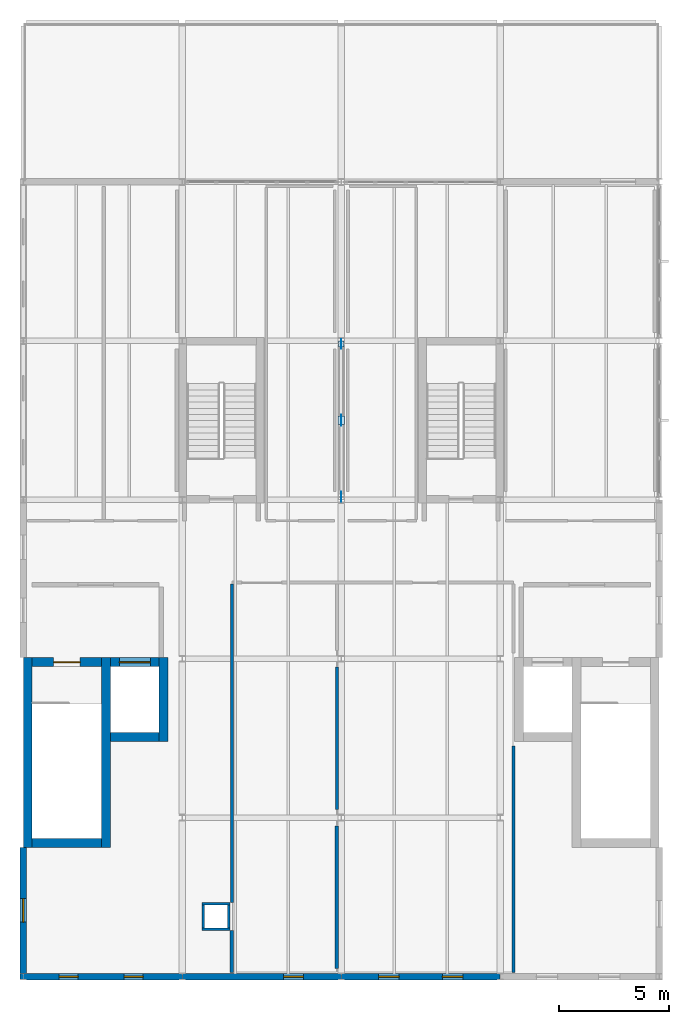
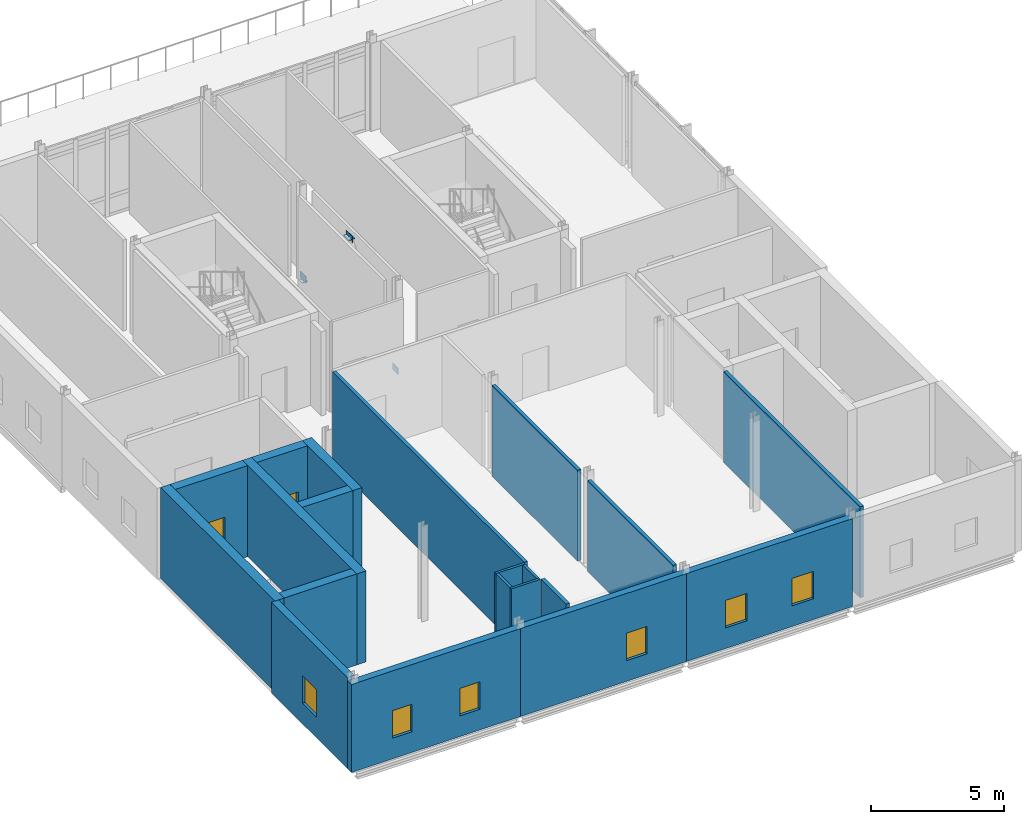
# One storey, part 7 of 12: 20 walls, 6 windows, 5 plates, 2 doors, 8 openings.
"""IFC4 building model written with IfcOpenShell, lengths in metres."""

from ifc_helpers import new_model, si_unit, direction, frame, frame_2d, origin, origin_2d, place, context, subcontext, project, spatial, rectangle, extrude, material, layer, layer_set, type_object, element, fill, save


model = new_model("IFC4")

# Units and contexts
model_context = context("Model", 3, precision=1e-05, world=origin(), true_north=direction((0.0, 1.0)))
body_context = subcontext(model_context, "Body", "Model", "MODEL_VIEW")
ifc_project = project(units=[si_unit("LENGTHUNIT", "METRE"), si_unit("AREAUNIT", "SQUARE_METRE"), si_unit("VOLUMEUNIT", "CUBIC_METRE"), si_unit("PLANEANGLEUNIT", "RADIAN"), si_unit("MASSUNIT", "GRAM", prefix="KILO")], contexts=[model_context])

# Site, building, storey
site_placement = place(None, origin())
site = spatial("IfcSite", under=ifc_project, at=site_placement, CompositionType="ELEMENT")
building_placement = place(site_placement, origin())
building = spatial("IfcBuilding", under=site, at=building_placement, Name="Zarrinpeak Specialist Clinic", CompositionType="ELEMENT")
storey_placement = place(building_placement, frame((0.0, 0.0, 27.199951171875)))
storey = spatial("IfcBuildingStorey", under=building, at=storey_placement, Name="L06", CompositionType="ELEMENT", Elevation=27.199951171875)

# Plates
ifc_material_1 = material(Name="Steel S355", Category="steel")
ifc_layer_1 = layer(ifc_material_1, 0.01611328125)
ifc_layer_set_1 = layer_set([ifc_layer_1], Name="Steel S355")
plate_type_1 = type_object("IfcPlateType", Name="PL-CAP219", PredefinedType="SHEET", material=ifc_layer_set_1)
plate_1_placement = place(storey_placement, frame((14.39990234375, 28.659912109375, 0.0009765625), z_axis=(0.0, 0.0, 1.0), x_axis=(1.0, 0.0, 0.0)))
element("IfcPlate", 1, at=plate_1_placement, inside=storey, type_object=plate_type_1, Name="V1 L06 Hollow Brace Foot Cap Plate B", PredefinedType="SHEET", context=body_context, shape_type="SweptSolid", body=[
    extrude(rectangle(XDim=0.260009765625, YDim=0.260009765625, at=origin_2d()), origin(), (0.0, 0.0, 1.0), 0.01611328125),
])
ifc_layer_2 = layer(ifc_material_1, 0.02001953125)
ifc_layer_set_2 = layer_set([ifc_layer_2], Name="Steel S355")
plate_type_2 = type_object("IfcPlateType", Name="PL-GN01", PredefinedType="SHEET", material=ifc_layer_set_2)
plate_2_placement = place(storey_placement, frame((14.39990234375, 25.199951171875, 3.93505859375), z_axis=(0.0, 0.0, 1.0), x_axis=(1.0, 0.0, 0.0)))
element("IfcPlate", 2, at=plate_2_placement, inside=storey, type_object=plate_type_2, Name="V1 L06 Chevron Gusset Node Plate GN-V1-L06", PredefinedType="SHEET", context=body_context, shape_type="SweptSolid", body=[
    extrude(rectangle(XDim=0.02001953125, YDim=0.47998046875, at=origin_2d()), origin(), (0.0, 0.0, 1.0), 0.340087890625),
])
ifc_layer_3 = layer(ifc_material_1, 0.01611328125)
ifc_layer_set_3 = layer_set([ifc_layer_3], Name="Steel S355")
plate_type_3 = type_object("IfcPlateType", Name="PL-GN02", PredefinedType="SHEET", material=ifc_layer_set_3)
plate_3_placement = place(storey_placement, frame((14.39990234375, 25.199951171875, 4.10302734375), z_axis=(0.0, 0.0, 1.0), x_axis=(1.0, 0.0, 0.0)))
element("IfcPlate", 3, at=plate_3_placement, inside=storey, type_object=plate_type_3, Name="V1 L06 Chevron Apex Seal Plate GNCAP-V1-L06", PredefinedType="SHEET", context=body_context, shape_type="SweptSolid", body=[
    extrude(rectangle(XDim=0.280029296875, YDim=0.39990234375, at=origin_2d()), origin(), (0.0, 0.0, 1.0), 0.01611328125),
])
ifc_layer_4 = layer(ifc_material_1, 0.01806640625)
ifc_layer_set_4 = layer_set([ifc_layer_4], Name="Steel S355")
plate_type_4 = type_object("IfcPlateType", Name="PL-GN03", PredefinedType="SHEET", material=ifc_layer_set_4)
for number, where, z_axis, x_axis, name in (
    (4, (14.39990234375, 21.739990234375, 0.005126953125), (0.0, 0.0, 1.0), (1.0, 0.0, 0.0), "V1 L06 Brace Foot Gusset Plate GNF-V1-L06-A"),
    (5, (14.39990234375, 28.659912109375, 0.005126953125), (0.0, 0.0, 1.0), (1.0, 0.0, 0.0), "V1 L06 Brace Foot Gusset Plate GNF-V1-L06-B"),
):
    element("IfcPlate", number, at=place(storey_placement, frame(where, z_axis=z_axis, x_axis=x_axis)), inside=storey, type_object=plate_type_4, Name=name, PredefinedType="SHEET", context=body_context, shape_type="SweptSolid", body=[
        extrude(rectangle(XDim=0.01806640625, YDim=0.43994140625, at=origin_2d()), origin(), (0.0, 0.0, 1.0), 0.31005859375),
    ])

# Wall
ifc_material_2 = material(Name="Concrete C40/50", Category="concrete")
ifc_layer_5 = layer(ifc_material_2, 0.39990234375)
ifc_layer_set_5 = layer_set([ifc_layer_5], Name="Concrete C40/50")
wall_type_1 = type_object("IfcWallType", Name="WL-CR400", PredefinedType="SHEAR", material=ifc_layer_set_5)
wall_1_placement = place(storey_placement, frame((0.39990234375, 6.050048828125, 0.0), z_axis=(0.0, 0.0, 1.0), x_axis=(1.0, 0.0, 0.0)))
element("IfcWall", 6, at=wall_1_placement, inside=storey, type_object=wall_type_1, Name="L06 Core C01 Shear Wall STS", PredefinedType="SHEAR", context=body_context, shape_type="SweptSolid", body=[
    extrude(rectangle(XDim=3.150146484375, YDim=0.39990234375, at=frame_2d((1.5751953125, 0.0))), origin(), (0.0, 0.0, 1.0), 4.179931640625),
])

# Wall, opening, door
wall_2_placement = place(storey_placement, frame((0.39990234375, 14.25, 0.0), z_axis=(0.0, 0.0, 1.0), x_axis=(1.0, 0.0, 0.0)))
wall_2 = element("IfcWall", 7, at=wall_2_placement, inside=storey, type_object=wall_type_1, Name="L06 Core C01 Shear Wall STN", PredefinedType="SHEAR", context=body_context, shape_type="SweptSolid", body=[
    extrude(rectangle(XDim=3.150146484375, YDim=0.39990234375, at=frame_2d((1.5751953125, 0.0))), origin(), (0.0, 0.0, 1.0), 4.179931640625),
])
opening_1_placement = place(wall_2_placement, frame((0.97509765625, 0.0, 0.0)))
opening_1 = element("IfcOpeningElement", 8, at=opening_1_placement, cuts=wall_2, Name="Opening D-S01", PredefinedType="OPENING", context=body_context, shape_type="SweptSolid", body=[
    extrude(rectangle(XDim=1.199951171875, YDim=2.14990234375, at=frame_2d((0.60009765625, 1.074951171875))), frame((0.0, 0.2099609375, 0.0), z_axis=(0.0, -1.0, 0.0), x_axis=(1.0, 0.0, 0.0)), (0.0, 0.0, 1.0), 0.419921875),
])
ifc_material_3 = material(Name="Powder-Coated Galvanised Steel", Category="steel")
door_type_1 = type_object("IfcDoorType", Name="DR-FD120", OperationType="SINGLE_SWING_LEFT", PredefinedType="DOOR", material=ifc_material_3)
door_1_placement = place(opening_1_placement, frame((1.199951171875, 0.0, 0.0), z_axis=(0.0, 0.0, 1.0), x_axis=(-1.0, 0.0, 0.0)))
door_1 = element("IfcDoor", 9, at=door_1_placement, inside=storey, type_object=door_type_1, Name="L06 Protected Stair ST-01 Fire Door", OperationType="SINGLE_SWING_LEFT", OverallHeight=2.14990234375, OverallWidth=1.199951171875, PredefinedType="DOOR", context=body_context, shape_type="SweptSolid", body=[
    extrude(rectangle(XDim=1.199951171875, YDim=2.14990234375, at=frame_2d((0.60009765625, 1.074951171875))), frame((0.0, 0.02490234375, 0.0), z_axis=(0.0, -1.0, 0.0), x_axis=(1.0, 0.0, 0.0)), (0.0, 0.0, 1.0), 0.050048828125),
])
fill(opening_1, door_1)

# Walls
for number, where, z_axis, x_axis, name in (
    (10, (0.199951171875, 5.85009765625, 0.0), (0.0, 0.0, 1.0), (0.0, 1.0, 0.0), "L06 Core C01 Shear Wall STW"),
    (11, (3.75, 5.85009765625, 0.0), (0.0, 0.0, 1.0), (0.0, 1.0, 0.0), "L06 Core C01 Shear Wall STE"),
):
    element("IfcWall", number, at=place(storey_placement, frame(where, z_axis=z_axis, x_axis=x_axis)), inside=storey, type_object=wall_type_1, Name=name, PredefinedType="SHEAR", context=body_context, shape_type="SweptSolid", body=[
        extrude(rectangle(XDim=8.599853515625, YDim=0.39990234375, at=frame_2d((4.2998046875, 0.0))), origin(), (0.0, 0.0, 1.0), 4.179931640625),
    ])
wall_3_placement = place(storey_placement, frame((3.949951171875, 10.85009765625, 0.0), z_axis=(0.0, 0.0, 1.0), x_axis=(1.0, 0.0, 0.0)))
element("IfcWall", 12, at=wall_3_placement, inside=storey, type_object=wall_type_1, Name="L06 Lift LF-FF1 Shaft Wall LFS", PredefinedType="SHEAR", context=body_context, shape_type="SweptSolid", body=[
    extrude(rectangle(XDim=2.199951171875, YDim=0.39990234375, at=frame_2d((1.10009765625, 0.0))), origin(), (0.0, 0.0, 1.0), 4.179931640625),
])

# Wall, opening, door
wall_4_placement = place(storey_placement, frame((3.949951171875, 14.25, 0.0), z_axis=(0.0, 0.0, 1.0), x_axis=(1.0, 0.0, 0.0)))
wall_4 = element("IfcWall", 13, at=wall_4_placement, inside=storey, type_object=wall_type_1, Name="L06 Lift LF-FF1 Shaft Wall LFN", PredefinedType="SHEAR", context=body_context, shape_type="SweptSolid", body=[
    extrude(rectangle(XDim=2.199951171875, YDim=0.39990234375, at=frame_2d((1.10009765625, 0.0))), origin(), (0.0, 0.0, 1.0), 4.179931640625),
])
opening_2_placement = place(wall_4_placement, frame((0.39990234375, 0.0, 0.0)))
opening_2 = element("IfcOpeningElement", 14, at=opening_2_placement, cuts=wall_4, Name="Opening LD-01", PredefinedType="OPENING", context=body_context, shape_type="SweptSolid", body=[
    extrude(rectangle(XDim=1.39990234375, YDim=2.199951171875, at=frame_2d((0.699951171875, 1.10009765625))), frame((0.0, 0.2099609375, 0.0), z_axis=(0.0, -1.0, 0.0), x_axis=(1.0, 0.0, 0.0)), (0.0, 0.0, 1.0), 0.419921875),
])
door_type_2 = type_object("IfcDoorType", Name="DR-LD140", OperationType="SLIDING_TO_LEFT", PredefinedType="DOOR", material=ifc_material_3)
door_2_placement = place(opening_2_placement, origin())
door_2 = element("IfcDoor", 15, at=door_2_placement, inside=storey, type_object=door_type_2, Name="L06 Lift LF-FF1 Sliding Landing Door", OperationType="SLIDING_TO_LEFT", OverallHeight=2.199951171875, OverallWidth=1.39990234375, PredefinedType="DOOR", context=body_context, shape_type="SweptSolid", body=[
    extrude(rectangle(XDim=1.39990234375, YDim=2.199951171875, at=frame_2d((0.699951171875, 1.10009765625))), frame((0.0, 0.02490234375, 0.0), z_axis=(0.0, -1.0, 0.0), x_axis=(1.0, 0.0, 0.0)), (0.0, 0.0, 1.0), 0.050048828125),
])
fill(opening_2, door_2)

# Wall
wall_5_placement = place(storey_placement, frame((6.35009765625, 10.64990234375, 0.0), z_axis=(0.0, 0.0, 1.0), x_axis=(0.0, 1.0, 0.0)))
element("IfcWall", 16, at=wall_5_placement, inside=storey, type_object=wall_type_1, Name="L06 Lift LF-FF1 Shaft Wall LFE", PredefinedType="SHEAR", context=body_context, shape_type="SweptSolid", body=[
    extrude(rectangle(XDim=3.800048828125, YDim=0.39990234375, at=frame_2d((1.89990234375, 0.0))), origin(), (0.0, 0.0, 1.0), 4.179931640625),
])

# Wall, openings, windows
ifc_material_4 = material(Name="Precast concrete C40/50", Category="concrete")
ifc_layer_6 = layer(ifc_material_4, 0.300048828125)
ifc_layer_set_6 = layer_set([ifc_layer_6], Name="Precast concrete C40/50")
wall_type_2 = type_object("IfcWallType", Name="WL-EW300", PredefinedType="STANDARD", material=ifc_layer_set_6)
wall_6_placement = place(storey_placement, frame((-0.14990234375, 0.0, 0.0), z_axis=(0.0, 0.0, 1.0), x_axis=(1.0, 0.0, 0.0)))
wall_6 = element("IfcWall", 17, at=wall_6_placement, inside=storey, type_object=wall_type_2, Name="L06 V1 Exterior GRC Wall EW-L06-V1-0084", PredefinedType="STANDARD", context=body_context, shape_type="SweptSolid", body=[
    extrude(rectangle(XDim=7.349853515625, YDim=0.300048828125, at=frame_2d((3.6748046875, 0.0))), origin(), (0.0, 0.0, 1.0), 4.03515625),
])
opening_3_placement = place(wall_6_placement, frame((1.77490234375, 0.0, 0.949951171875)))
opening_3 = element("IfcOpeningElement", 18, at=opening_3_placement, cuts=wall_6, Name="Opening WS-01", PredefinedType="OPENING", context=body_context, shape_type="SweptSolid", body=[
    extrude(rectangle(XDim=0.860107421875, YDim=1.260009765625, at=frame_2d((0.43017578125, 0.6298828125))), frame((0.0, 0.16015625, 0.0), z_axis=(0.0, -1.0, 0.0), x_axis=(1.0, 0.0, 0.0)), (0.0, 0.0, 1.0), 0.320068359375),
])
opening_4_placement = place(wall_6_placement, frame((4.715087890625, 0.0, 0.949951171875)))
opening_4 = element("IfcOpeningElement", 19, at=opening_4_placement, cuts=wall_6, Name="Opening WS-01", PredefinedType="OPENING", context=body_context, shape_type="SweptSolid", body=[
    extrude(rectangle(XDim=0.860107421875, YDim=1.260009765625, at=frame_2d((0.43017578125, 0.6298828125))), frame((0.0, 0.16015625, 0.0), z_axis=(0.0, -1.0, 0.0), x_axis=(1.0, 0.0, 0.0)), (0.0, 0.0, 1.0), 0.320068359375),
])
ifc_material_5 = material(Name="Thermally Broken Aluminium and Low-E Glazing", Category="aluminium")
window_type_1 = type_object("IfcWindowType", Name="WN-SP01", PartitioningType="SINGLE_PANEL", PredefinedType="WINDOW", material=ifc_material_5)
window_1_placement = place(opening_3_placement, origin())
window_1 = element("IfcWindow", 20, at=window_1_placement, inside=storey, type_object=window_type_1, Name="L06 Modular Facade Window WN-L06-0121", OverallHeight=1.260009765625, OverallWidth=0.860107421875, PartitioningType="SINGLE_PANEL", PredefinedType="WINDOW", context=body_context, shape_type="SweptSolid", body=[
    extrude(rectangle(XDim=0.860107421875, YDim=1.260009765625, at=frame_2d((0.43017578125, 0.6298828125))), frame((0.0, 0.030029296875, 0.0), z_axis=(0.0, -1.0, 0.0), x_axis=(1.0, 0.0, 0.0)), (0.0, 0.0, 1.0), 0.06005859375),
])
fill(opening_3, window_1)
window_2_placement = place(opening_4_placement, origin())
window_2 = element("IfcWindow", 21, at=window_2_placement, inside=storey, type_object=window_type_1, Name="L06 Modular Facade Window WN-L06-0122", OverallHeight=1.260009765625, OverallWidth=0.860107421875, PartitioningType="SINGLE_PANEL", PredefinedType="WINDOW", context=body_context, shape_type="SweptSolid", body=[
    extrude(rectangle(XDim=0.860107421875, YDim=1.260009765625, at=frame_2d((0.43017578125, 0.6298828125))), frame((0.0, 0.030029296875, 0.0), z_axis=(0.0, -1.0, 0.0), x_axis=(1.0, 0.0, 0.0)), (0.0, 0.0, 1.0), 0.06005859375),
])
fill(opening_4, window_2)

# Wall, opening, window
wall_7_placement = place(storey_placement, frame((7.199951171875, 0.0, 0.0), z_axis=(0.0, 0.0, 1.0), x_axis=(1.0, 0.0, 0.0)))
wall_7 = element("IfcWall", 22, at=wall_7_placement, inside=storey, type_object=wall_type_2, Name="L06 V1 Exterior GRC Wall EW-L06-V1-0085", PredefinedType="STANDARD", context=body_context, shape_type="SweptSolid", body=[
    extrude(rectangle(XDim=7.199951171875, YDim=0.300048828125, at=frame_2d((3.60009765625, 0.0))), origin(), (0.0, 0.0, 1.0), 4.03515625),
])
opening_5_placement = place(wall_7_placement, frame((4.593017578125, 0.0, 0.949951171875)))
opening_5 = element("IfcOpeningElement", 23, at=opening_5_placement, cuts=wall_7, Name="Opening WS-02", PredefinedType="OPENING", context=body_context, shape_type="SweptSolid", body=[
    extrude(rectangle(XDim=0.89404296875, YDim=1.260009765625, at=frame_2d((0.447021484375, 0.6298828125))), frame((0.0, 0.16015625, 0.0), z_axis=(0.0, -1.0, 0.0), x_axis=(1.0, 0.0, 0.0)), (0.0, 0.0, 1.0), 0.320068359375),
])
window_type_2 = type_object("IfcWindowType", Name="WN-SP02", PartitioningType="SINGLE_PANEL", PredefinedType="WINDOW", material=ifc_material_5)
window_3_placement = place(opening_5_placement, origin())
window_3 = element("IfcWindow", 24, at=window_3_placement, inside=storey, type_object=window_type_2, Name="L06 Modular Facade Window WN-L06-0123", OverallHeight=1.260009765625, OverallWidth=0.89404296875, PartitioningType="SINGLE_PANEL", PredefinedType="WINDOW", context=body_context, shape_type="SweptSolid", body=[
    extrude(rectangle(XDim=0.89404296875, YDim=1.260009765625, at=frame_2d((0.447021484375, 0.6298828125))), frame((0.0, 0.030029296875, 0.0), z_axis=(0.0, -1.0, 0.0), x_axis=(1.0, 0.0, 0.0)), (0.0, 0.0, 1.0), 0.06005859375),
])
fill(opening_5, window_3)

# Wall, openings, windows
wall_8_placement = place(storey_placement, frame((14.39990234375, 0.0, 0.0), z_axis=(0.0, 0.0, 1.0), x_axis=(1.0, 0.0, 0.0)))
wall_8 = element("IfcWall", 25, at=wall_8_placement, inside=storey, type_object=wall_type_2, Name="L06 V1 Exterior GRC Wall EW-L06-V1-0086", PredefinedType="STANDARD", context=body_context, shape_type="SweptSolid", body=[
    extrude(rectangle(XDim=7.2001953125, YDim=0.300048828125, at=frame_2d((3.60009765625, 0.0))), origin(), (0.0, 0.0, 1.0), 4.03515625),
])
opening_6_placement = place(wall_8_placement, frame((1.696044921875, 0.0, 0.949951171875)))
opening_6 = element("IfcOpeningElement", 26, at=opening_6_placement, cuts=wall_8, Name="Opening WS-03", PredefinedType="OPENING", context=body_context, shape_type="SweptSolid", body=[
    extrude(rectangle(XDim=0.927978515625, YDim=1.260009765625, at=frame_2d((0.4638671875, 0.6298828125))), frame((0.0, 0.16015625, 0.0), z_axis=(0.0, -1.0, 0.0), x_axis=(1.0, 0.0, 0.0)), (0.0, 0.0, 1.0), 0.320068359375),
])
opening_7_placement = place(wall_8_placement, frame((4.575927734375, 0.0, 0.949951171875)))
opening_7 = element("IfcOpeningElement", 27, at=opening_7_placement, cuts=wall_8, Name="Opening WS-03", PredefinedType="OPENING", context=body_context, shape_type="SweptSolid", body=[
    extrude(rectangle(XDim=0.927978515625, YDim=1.260009765625, at=frame_2d((0.4638671875, 0.6298828125))), frame((0.0, 0.16015625, 0.0), z_axis=(0.0, -1.0, 0.0), x_axis=(1.0, 0.0, 0.0)), (0.0, 0.0, 1.0), 0.320068359375),
])
window_type_3 = type_object("IfcWindowType", Name="WN-SP03", PartitioningType="SINGLE_PANEL", PredefinedType="WINDOW", material=ifc_material_5)
window_4_placement = place(opening_6_placement, origin())
window_4 = element("IfcWindow", 28, at=window_4_placement, inside=storey, type_object=window_type_3, Name="L06 Modular Facade Window WN-L06-0124", OverallHeight=1.260009765625, OverallWidth=0.927978515625, PartitioningType="SINGLE_PANEL", PredefinedType="WINDOW", context=body_context, shape_type="SweptSolid", body=[
    extrude(rectangle(XDim=0.927978515625, YDim=1.260009765625, at=frame_2d((0.4638671875, 0.6298828125))), frame((0.0, 0.030029296875, 0.0), z_axis=(0.0, -1.0, 0.0), x_axis=(1.0, 0.0, 0.0)), (0.0, 0.0, 1.0), 0.06005859375),
])
fill(opening_6, window_4)
window_5_placement = place(opening_7_placement, origin())
window_5 = element("IfcWindow", 29, at=window_5_placement, inside=storey, type_object=window_type_3, Name="L06 Modular Facade Window WN-L06-0125", OverallHeight=1.260009765625, OverallWidth=0.927978515625, PartitioningType="SINGLE_PANEL", PredefinedType="WINDOW", context=body_context, shape_type="SweptSolid", body=[
    extrude(rectangle(XDim=0.927978515625, YDim=1.260009765625, at=frame_2d((0.4638671875, 0.6298828125))), frame((0.0, 0.030029296875, 0.0), z_axis=(0.0, -1.0, 0.0), x_axis=(1.0, 0.0, 0.0)), (0.0, 0.0, 1.0), 0.06005859375),
])
fill(opening_7, window_5)

# Wall, opening, window
wall_9_placement = place(storey_placement, frame((0.0, 5.85009765625, 0.0), z_axis=(0.0, 0.0, 1.0), x_axis=(0.0, -1.0, 0.0)))
wall_9 = element("IfcWall", 30, at=wall_9_placement, inside=storey, type_object=wall_type_2, Name="L06 V1 Exterior GRC Wall EW-L06-V1-0090", PredefinedType="STANDARD", context=body_context, shape_type="SweptSolid", body=[
    extrude(rectangle(XDim=5.7001953125, YDim=0.300048828125, at=frame_2d((2.85009765625, 0.0))), origin(), (0.0, 0.0, 1.0), 4.179931640625),
])
opening_8_placement = place(wall_9_placement, frame((2.318115234375, 0.0, 0.949951171875)))
opening_8 = element("IfcOpeningElement", 31, at=opening_8_placement, cuts=wall_9, Name="Opening WS-07", PredefinedType="OPENING", context=body_context, shape_type="SweptSolid", body=[
    extrude(rectangle(XDim=1.06396484375, YDim=1.260009765625, at=frame_2d((0.531982421875, 0.6298828125))), frame((0.0, 0.16015625, 0.0), z_axis=(0.0, -1.0, 0.0), x_axis=(1.0, 0.0, 0.0)), (0.0, 0.0, 1.0), 0.320068359375),
])
window_type_4 = type_object("IfcWindowType", Name="WN-SP07", PartitioningType="SINGLE_PANEL", PredefinedType="WINDOW", material=ifc_material_5)
window_6_placement = place(opening_8_placement, origin())
window_6 = element("IfcWindow", 32, at=window_6_placement, inside=storey, type_object=window_type_4, Name="L06 Modular Facade Window WN-L06-0128", OverallHeight=1.260009765625, OverallWidth=1.06396484375, PartitioningType="SINGLE_PANEL", PredefinedType="WINDOW", context=body_context, shape_type="SweptSolid", body=[
    extrude(rectangle(XDim=1.06396484375, YDim=1.260009765625, at=frame_2d((0.531982421875, 0.6298828125))), frame((0.0, 0.030029296875, 0.0), z_axis=(0.0, -1.0, 0.0), x_axis=(1.0, 0.0, 0.0)), (0.0, 0.0, 1.0), 0.06005859375),
])
fill(opening_8, window_6)

# Walls
ifc_material_6 = material(Name="Sanitary Service Chase Plumbing Wall", Category="gypsum")
ifc_layer_7 = layer(ifc_material_6, 0.110107421875)
ifc_layer_set_7 = layer_set([ifc_layer_7], Name="Sanitary Service Chase Plumbing Wall")
wall_type_3 = type_object("IfcWallType", Name="WL-IW110", PredefinedType="PARTITIONING", material=ifc_layer_set_7)
for number, where, z_axis, x_axis, name in (
    (33, (8.090087890625, 2.14501953125, 0.0), (0.0, 0.0, 1.0), (1.0, 0.0, 0.0), "L06 V1 Enclosed MEP Service Riser Wall S"),
    (34, (8.090087890625, 3.304931640625, 0.0), (0.0, 0.0, 1.0), (1.0, 0.0, 0.0), "L06 V1 Enclosed MEP Service Riser Wall N"),
):
    element("IfcWall", number, at=place(storey_placement, frame(where, z_axis=z_axis, x_axis=x_axis)), inside=storey, type_object=wall_type_3, Name=name, PredefinedType="PARTITIONING", context=body_context, shape_type="SweptSolid", body=[
        extrude(rectangle(XDim=1.27001953125, YDim=0.110107421875, at=frame_2d((0.635009765625, 0.0))), origin(), (0.0, 0.0, 1.0), 4.179931640625),
    ])
for number, where, z_axis, x_axis, name in (
    (35, (8.14501953125, 2.199951171875, 0.0), (0.0, 0.0, 1.0), (0.0, 1.0, 0.0), "L06 V1 Enclosed MEP Service Riser Wall W"),
    (36, (9.304931640625, 2.199951171875, 0.0), (0.0, 0.0, 1.0), (0.0, 1.0, 0.0), "L06 V1 Enclosed MEP Service Riser Wall E"),
):
    element("IfcWall", number, at=place(storey_placement, frame(where, z_axis=z_axis, x_axis=x_axis)), inside=storey, type_object=wall_type_3, Name=name, PredefinedType="PARTITIONING", context=body_context, shape_type="SweptSolid", body=[
        extrude(rectangle(XDim=1.050048828125, YDim=0.110107421875, at=frame_2d((0.52490234375, 0.0))), origin(), (0.0, 0.0, 1.0), 4.179931640625),
    ])
ifc_material_7 = material(Name="Acoustic Consultation Stud Partition", Category="gypsum")
ifc_layer_8 = layer(ifc_material_7, 0.14208984375)
ifc_layer_set_8 = layer_set([ifc_layer_8], Name="Acoustic Consultation Stud Partition")
wall_type_4 = type_object("IfcWallType", Name="WL-IW142", PredefinedType="PARTITIONING", material=ifc_layer_set_8)
wall_10_placement = place(storey_placement, frame((14.199951171875, 7.580078125, 0.0), z_axis=(0.0, 0.0, 1.0), x_axis=(0.0, 1.0, 0.0)))
element("IfcWall", 37, at=wall_10_placement, inside=storey, type_object=wall_type_4, Name="L06 Multidisciplinary Case Review Room Dividing Partition", PredefinedType="PARTITIONING", context=body_context, shape_type="SweptSolid", body=[
    extrude(rectangle(XDim=6.43994140625, YDim=0.14208984375, at=frame_2d((3.219970703125, 0.0))), origin(), (0.0, 0.0, 1.0), 4.179931640625),
])
ifc_material_8 = material(Name="Insulated Clinical Gypsum Stud Partition", Category="gypsum")
ifc_layer_9 = layer(ifc_material_8, 0.14990234375)
ifc_layer_set_9 = layer_set([ifc_layer_9], Name="Insulated Clinical Gypsum Stud Partition")
wall_type_5 = type_object("IfcWallType", Name="WL-IW150", PredefinedType="PARTITIONING", material=ifc_layer_set_9)
wall_11_placement = place(storey_placement, frame((9.449951171875, 3.360107421875, 0.0), z_axis=(0.0, 0.0, 1.0), x_axis=(0.0, 1.0, 0.0)))
element("IfcWall", 38, at=wall_11_placement, inside=storey, type_object=wall_type_5, Name="L06 Multidisciplinary Case Review Room Dividing Partition", PredefinedType="PARTITIONING", context=body_context, shape_type="SweptSolid", body=[
    extrude(rectangle(XDim=14.4189453125, YDim=0.14990234375, at=frame_2d((7.20947265625, 0.0))), origin(), (0.0, 0.0, 1.0), 4.179931640625),
])
wall_12_placement = place(storey_placement, frame((14.199951171875, 0.3798828125, 0.0), z_axis=(0.0, 0.0, 1.0), x_axis=(0.0, 1.0, 0.0)))
element("IfcWall", 39, at=wall_12_placement, inside=storey, type_object=wall_type_5, Name="L06 Multidisciplinary Case Review Room Dividing Partition", PredefinedType="PARTITIONING", context=body_context, shape_type="SweptSolid", body=[
    extrude(rectangle(XDim=6.440185546875, YDim=0.14990234375, at=frame_2d((3.22021484375, 0.0))), origin(), (0.0, 0.0, 1.0), 4.179931640625),
])
wall_13_placement = place(storey_placement, frame((22.199951171875, 0.199951171875, 0.0), z_axis=(0.0, 0.0, 1.0), x_axis=(0.0, 1.0, 0.0)))
element("IfcWall", 40, at=wall_13_placement, inside=storey, type_object=wall_type_5, Name="L06 Specialist Consultation Room 2 Dividing Partition", PredefinedType="PARTITIONING", context=body_context, shape_type="SweptSolid", body=[
    extrude(rectangle(XDim=10.25, YDim=0.14990234375, at=frame_2d((5.125, 0.0))), origin(), (0.0, 0.0, 1.0), 4.179931640625),
])
ifc_material_9 = material(Name="Acoustic Double Gypsum Stud Partition", Category="gypsum")
ifc_layer_10 = layer(ifc_material_9, 0.159912109375)
ifc_layer_set_10 = layer_set([ifc_layer_10], Name="Acoustic Double Gypsum Stud Partition")
wall_type_6 = type_object("IfcWallType", Name="WL-IW160", PredefinedType="PARTITIONING", material=ifc_layer_set_10)
wall_14_placement = place(storey_placement, frame((9.449951171875, 0.199951171875, 0.0), z_axis=(0.0, 0.0, 1.0), x_axis=(0.0, 1.0, 0.0)))
element("IfcWall", 41, at=wall_14_placement, inside=storey, type_object=wall_type_6, Name="L06 Multidisciplinary Case Review Room Dividing Partition", PredefinedType="PARTITIONING", context=body_context, shape_type="SweptSolid", body=[
    extrude(rectangle(XDim=1.89013671875, YDim=0.159912109375, at=frame_2d((0.945068359375, 0.0))), origin(), (0.0, 0.0, 1.0), 4.179931640625),
])

save(model, "model.ifc")
